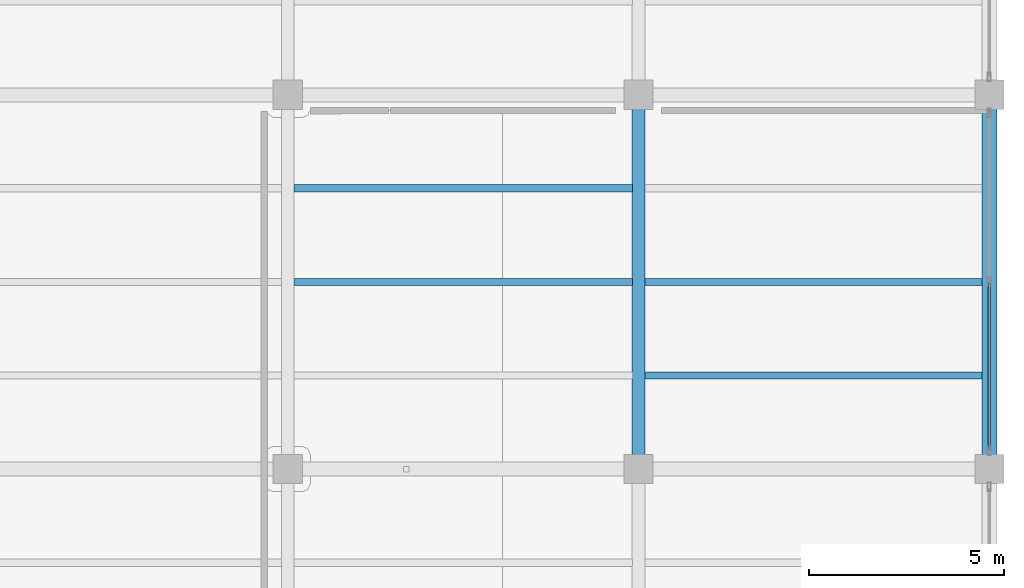
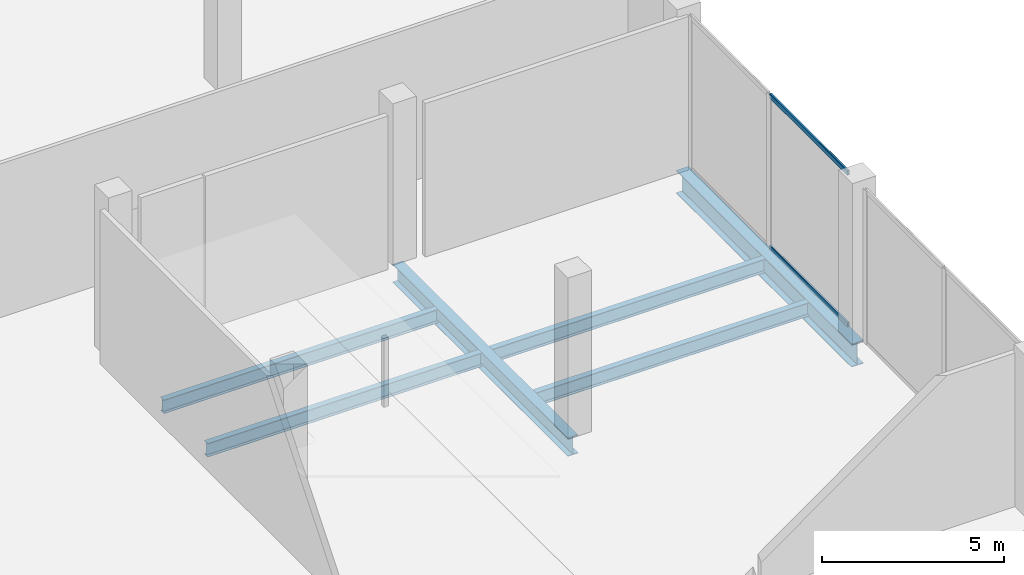
# One storey, part 19 of 47: 6 beams, 2 members, 1 element without a shape of its own.
"""IFC4 building model written with IfcOpenShell, lengths in metres."""

from ifc_helpers import new_model, si_unit, direction, frame, origin, origin_2d, place, context, subcontext, project, spatial, hollow_rectangle, i_section, extrude, material, layer, layer_set, material_profile, profile_set, type_object, element, aggregate, save


model = new_model("IFC4")

# Units and contexts
model_context = context("Model", 3, precision=1e-05, world=origin(), true_north=direction((0.0, 1.0)))
body_context = subcontext(model_context, "Body", "Model", "MODEL_VIEW")
ifc_project = project(units=[si_unit("LENGTHUNIT", "METRE"), si_unit("AREAUNIT", "SQUARE_METRE"), si_unit("VOLUMEUNIT", "CUBIC_METRE"), si_unit("PLANEANGLEUNIT", "RADIAN"), si_unit("MASSUNIT", "GRAM", prefix="KILO")], contexts=[model_context])

# Site, building, storey
site_placement = place(None, origin())
site = spatial("IfcSite", under=ifc_project, at=site_placement, CompositionType="ELEMENT")
building_placement = place(site_placement, origin())
building = spatial("IfcBuilding", under=site, at=building_placement, Name="Qorvath Tower", CompositionType="ELEMENT")
storey_placement = place(building_placement, frame((0.0, 0.0, 6.60009765625)))
storey = spatial("IfcBuildingStorey", under=building, at=storey_placement, Name="L01", CompositionType="ELEMENT", Elevation=6.60009765625)

# Beams
ifc_material_1 = material(Name="Steel ASTM A992 Grade 50", Category="steel")
ifc_material_profile_1 = material_profile(ifc_material_1, i_section(OverallWidth=0.381103515625, OverallDepth=0.77294921875, WebThickness=0.0166015625, FlangeThickness=0.027099609375, FilletRadius=0.01904296875, at=origin_2d()), Name="W30x173")
ifc_profile_set_1 = profile_set([ifc_material_profile_1], Name="Steel ASTM A992 Grade 50")
beam_type_1 = type_object("IfcBeamType", Name="BM-FG3", PredefinedType="BEAM", material=ifc_profile_set_1)
beam_1_placement = place(storey_placement, frame((77.39990234375, 0.0, -0.646484375), z_axis=(0.0, 1.0, 0.0), x_axis=(-1.0, 0.0, 0.0)))
element("IfcBeam", 1, at=beam_1_placement, inside=storey, type_object=beam_type_1, Name="Library N-S Girder L01-6-5", PredefinedType="BEAM", context=body_context, shape_type="SweptSolid", body=[
    extrude(i_section(OverallWidth=0.381103515625, OverallDepth=0.77294921875, WebThickness=0.0166015625, FlangeThickness=0.027099609375, FilletRadius=0.01904296875, at=origin_2d()), origin(), (0.0, 0.0, 1.0), 9.60009765625),
])
ifc_material_2 = material(Name="Steel ASTM A992 Grade 50", Category="steel")
ifc_material_profile_2 = material_profile(ifc_material_2, i_section(OverallWidth=0.324951171875, OverallDepth=0.615966796875, WebThickness=0.013916015625, FlangeThickness=0.021484375, FilletRadius=0.01611328125, at=origin_2d()), Name="W24x117")
ifc_profile_set_2 = profile_set([ifc_material_profile_2], Name="Steel ASTM A992 Grade 50")
beam_type_2 = type_object("IfcBeamType", Name="BM-FG5", PredefinedType="BEAM", material=ifc_profile_set_2)
beam_2_placement = place(storey_placement, frame((68.39990234375, 0.0, -0.568115234375), z_axis=(0.0, 1.0, 0.0), x_axis=(-1.0, 0.0, 0.0)))
element("IfcBeam", 2, at=beam_2_placement, inside=storey, type_object=beam_type_2, Name="Library N-S Girder L01-5-5", PredefinedType="BEAM", context=body_context, shape_type="SweptSolid", body=[
    extrude(i_section(OverallWidth=0.324951171875, OverallDepth=0.615966796875, WebThickness=0.013916015625, FlangeThickness=0.021484375, FilletRadius=0.01611328125, at=origin_2d()), origin(), (0.0, 0.0, 1.0), 9.60009765625),
])
ifc_material_3 = material(Name="Steel ASTM A992 Grade 50", Category="steel")
ifc_material_profile_3 = material_profile(ifc_material_3, i_section(OverallWidth=0.18994140625, OverallDepth=0.45703125, WebThickness=0.009033203125, FlangeThickness=0.014404296875, FilletRadius=0.011962890625, at=origin_2d()), Name="W18x50")
ifc_profile_set_3 = profile_set([ifc_material_profile_3], Name="Steel ASTM A992 Grade 50")
beam_type_3 = type_object("IfcBeamType", Name="BM-FJ2", PredefinedType="JOIST", material=ifc_profile_set_3)
beam_3_placement = place(storey_placement, frame((68.560546875, 2.39990234375, -0.488525390625), z_axis=(1.0, 0.0, 0.0), x_axis=(0.0, 1.0, 0.0)))
element("IfcBeam", 3, at=beam_3_placement, inside=storey, type_object=beam_type_3, Name="Library Stack Joist L01-5.1-5", PredefinedType="JOIST", context=body_context, shape_type="SweptSolid", body=[
    extrude(i_section(OverallWidth=0.18994140625, OverallDepth=0.45703125, WebThickness=0.009033203125, FlangeThickness=0.014404296875, FilletRadius=0.011962890625, at=origin_2d()), origin(), (0.0, 0.0, 1.0), 8.65087890625),
])
beam_4_placement = place(storey_placement, frame((59.560546875, 4.800048828125, -0.488525390625), z_axis=(1.0, 0.0, 0.0), x_axis=(0.0, 1.0, 0.0)))
element("IfcBeam", 4, at=beam_4_placement, inside=storey, type_object=beam_type_3, Name="Library Stack Joist L01-5.2-4", PredefinedType="JOIST", context=body_context, shape_type="SweptSolid", body=[
    extrude(i_section(OverallWidth=0.18994140625, OverallDepth=0.45703125, WebThickness=0.009033203125, FlangeThickness=0.014404296875, FilletRadius=0.011962890625, at=origin_2d()), origin(), (0.0, 0.0, 1.0), 8.678955078125),
])
beam_5_placement = place(storey_placement, frame((68.560546875, 4.800048828125, -0.488525390625), z_axis=(1.0, 0.0, 0.0), x_axis=(0.0, 1.0, 0.0)))
element("IfcBeam", 5, at=beam_5_placement, inside=storey, type_object=beam_type_3, Name="Library Stack Joist L01-5.2-5", PredefinedType="JOIST", context=body_context, shape_type="SweptSolid", body=[
    extrude(i_section(OverallWidth=0.18994140625, OverallDepth=0.45703125, WebThickness=0.009033203125, FlangeThickness=0.014404296875, FilletRadius=0.011962890625, at=origin_2d()), origin(), (0.0, 0.0, 1.0), 8.65087890625),
])
beam_6_placement = place(storey_placement, frame((59.560546875, 7.199951171875, -0.488525390625), z_axis=(1.0, 0.0, 0.0), x_axis=(0.0, 1.0, 0.0)))
element("IfcBeam", 6, at=beam_6_placement, inside=storey, type_object=beam_type_3, Name="Library Stack Joist L01-5.3-4", PredefinedType="JOIST", context=body_context, shape_type="SweptSolid", body=[
    extrude(i_section(OverallWidth=0.18994140625, OverallDepth=0.45703125, WebThickness=0.009033203125, FlangeThickness=0.014404296875, FilletRadius=0.011962890625, at=origin_2d()), origin(), (0.0, 0.0, 1.0), 8.678955078125),
])

# Curtain wall, members
ifc_material_4 = material(Name="Anodised aluminium and triple low-E glass", Category="aluminium")
ifc_layer = layer(ifc_material_4, 0.179931640625)
ifc_layer_set = layer_set([ifc_layer], Name="CW-SYS-6")
curtain_wall_type = type_object("IfcCurtainWallType", Name="CW-SYS-6", PredefinedType="NOTDEFINED", material=ifc_layer_set)
curtain_wall_placement = place(storey_placement, origin())
curtain_wall = element("IfcCurtainWall", 7, at=curtain_wall_placement, inside=storey, type_object=curtain_wall_type, Name="Curtain Wall CW-6 CW-LIB-E-L01-5", PredefinedType="NOTDEFINED")
ifc_material_5 = material(Name="Anodised aluminium 6063-T6", Category="aluminium")
ifc_material_profile_4 = material_profile(ifc_material_5, hollow_rectangle(XDim=0.06494140625, YDim=0.159912109375, WallThickness=0.00341796875, InnerFilletRadius=0.00341796875, OuterFilletRadius=0.007080078125, at=origin_2d()), Name="CWT 160x65")
ifc_profile_set_4 = profile_set([ifc_material_profile_4], Name="Anodised aluminium 6063-T6")
member_type = type_object("IfcMemberType", Name="CWT-160", PredefinedType="USERDEFINED", material=ifc_profile_set_4)
member_1_placement = place(storey_placement, frame((77.39990234375, 0.5, 0.032470703125), z_axis=(0.0, 1.0, 0.0), x_axis=(-1.0, 0.0, 0.0)))
member_1 = element("IfcMember", 8, at=member_1_placement, type_object=member_type, Name="CW-6 transom 1.1", ObjectType="TRANSOM", PredefinedType="USERDEFINED", context=body_context, shape_type="SweptSolid", body=[
    extrude(hollow_rectangle(XDim=0.06494140625, YDim=0.159912109375, WallThickness=0.00341796875, InnerFilletRadius=0.00341796875, OuterFilletRadius=0.007080078125, at=origin_2d()), origin(), (0.0, 0.0, 1.0), 4.260009765625),
])
member_2_placement = place(storey_placement, frame((77.39990234375, 0.5, 5.107421875), z_axis=(0.0, 1.0, 0.0), x_axis=(-1.0, 0.0, 0.0)))
member_2 = element("IfcMember", 9, at=member_2_placement, type_object=member_type, Name="CW-6 transom 1.2", ObjectType="TRANSOM", PredefinedType="USERDEFINED", context=body_context, shape_type="SweptSolid", body=[
    extrude(hollow_rectangle(XDim=0.06494140625, YDim=0.159912109375, WallThickness=0.00341796875, InnerFilletRadius=0.00341796875, OuterFilletRadius=0.007080078125, at=origin_2d()), origin(), (0.0, 0.0, 1.0), 4.260009765625),
])
aggregate(curtain_wall, [member_1, member_2])

save(model, "model.ifc")
